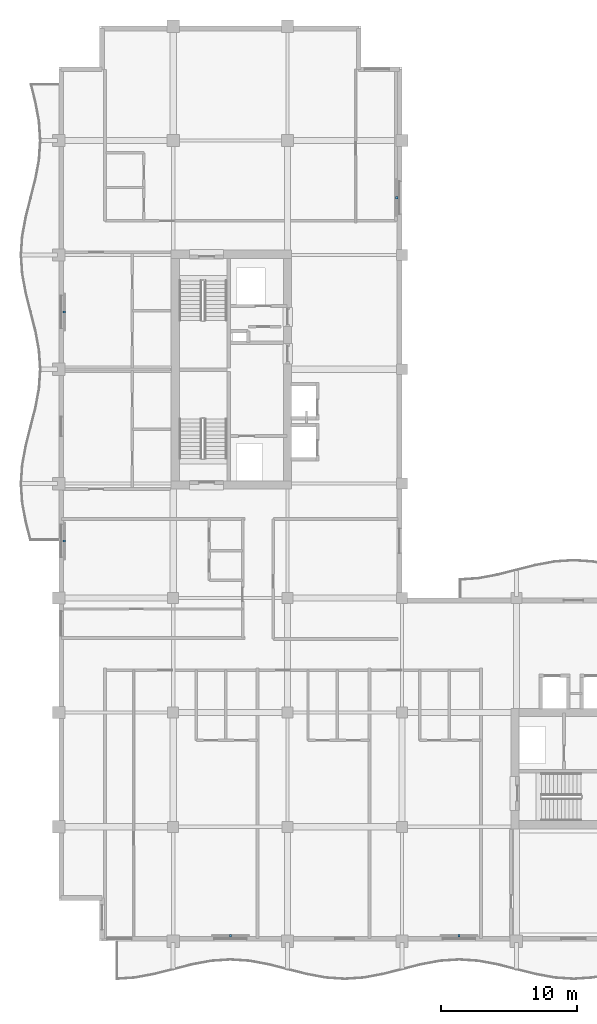
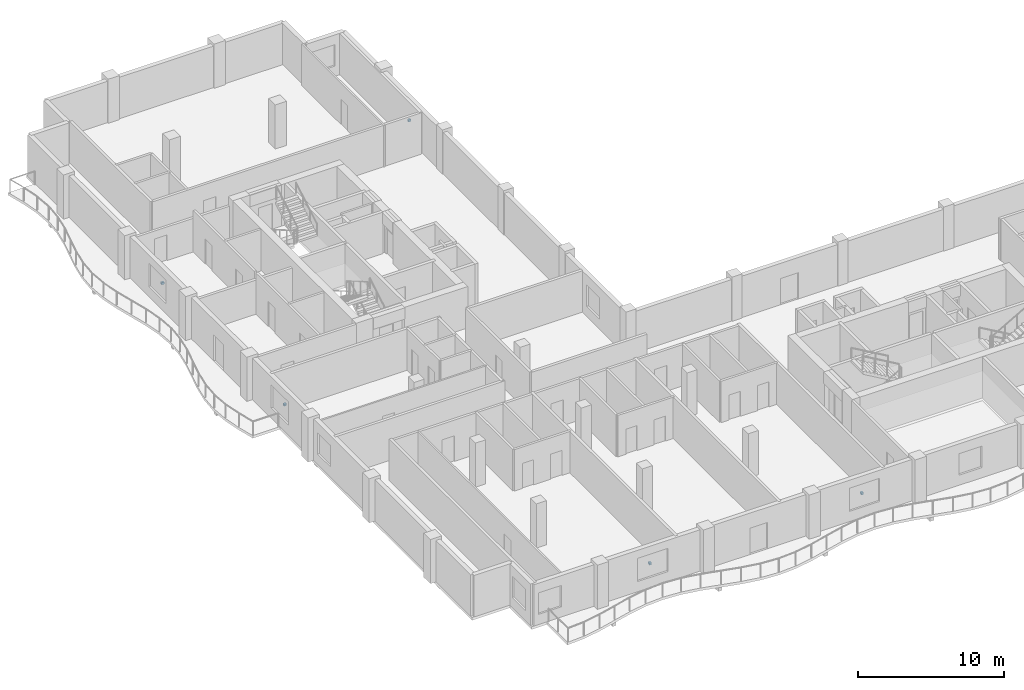
# One storey, part 12 of 16: 5 discrete accessories.
"""IFC4 building model written with IfcOpenShell, lengths in metres."""

from ifc_helpers import new_model, si_unit, direction, frame, origin, origin_2d, place, context, subcontext, project, spatial, rectangle, extrude, material, type_object, element, save


model = new_model("IFC4")

# Units and contexts
model_context = context("Model", 3, precision=1e-05, world=origin(), true_north=direction((0.0, 1.0)))
body_context = subcontext(model_context, "Body", "Model", "MODEL_VIEW")
ifc_project = project(units=[si_unit("LENGTHUNIT", "METRE"), si_unit("AREAUNIT", "SQUARE_METRE"), si_unit("VOLUMEUNIT", "CUBIC_METRE"), si_unit("PLANEANGLEUNIT", "RADIAN"), si_unit("MASSUNIT", "GRAM", prefix="KILO")], contexts=[model_context])

# Site, building, storey
site_placement = place(None, origin())
site = spatial("IfcSite", under=ifc_project, at=site_placement, CompositionType="ELEMENT")
building_placement = place(site_placement, origin())
building = spatial("IfcBuilding", under=site, at=building_placement, Name="Koriwani Terraces Tower", CompositionType="ELEMENT")
storey_placement = place(building_placement, frame((0.0, 0.0, 245.300048828125)))
storey = spatial("IfcBuildingStorey", under=building, at=storey_placement, Name="L60", CompositionType="ELEMENT", Elevation=245.300048828125)

# Discrete accessories
ifc_material = material(Name="Steel ASTM A572 Grade 50", Category="steel")
discrete_accessory_type = type_object("IfcDiscreteAccessoryType", Name="BAGUETTE_STANDOFF_BRACKET", PredefinedType="BRACKET", material=ifc_material)
for number, where, z_axis, x_axis, name in (
    (1, (8.7900390625, 37.800048828125, 1.64501953125), (0.0, 0.0, 1.0), (0.0, 1.0, 0.0), "L60 Terracotta Baguette Bracket (W-9)"),
    (2, (8.7900390625, 54.60009765625, 1.64501953125), (0.0, 0.0, 1.0), (0.0, 1.0, 0.0), "L60 Terracotta Baguette Bracket (W-15)"),
    (3, (33.2099609375, 63.0, 1.64501953125), (0.0, 0.0, 1.0), (0.0, -1.0, 0.0), "L60 Terracotta Baguette Bracket (NW_IN-11)"),
    (4, (21.0, 8.7900390625, 1.64501953125), (0.0, 0.0, 1.0), (-1.0, 0.0, 0.0), "L60 Terracotta Baguette Bracket (S-3)"),
    (5, (37.800048828125, 8.7900390625, 1.64501953125), (0.0, 0.0, 1.0), (-1.0, 0.0, 0.0), "L60 Terracotta Baguette Bracket (S-9)"),
):
    element("IfcDiscreteAccessory", number, at=place(storey_placement, frame(where, z_axis=z_axis, x_axis=x_axis)), inside=storey, type_object=discrete_accessory_type, Name=name, PredefinedType="BRACKET", context=body_context, shape_type="SweptSolid", body=[
        extrude(rectangle(XDim=0.159912109375, YDim=0.199951171875, at=origin_2d()), origin(), (0.0, 0.0, 1.0), 0.179931640625),
    ])

save(model, "model.ifc")
